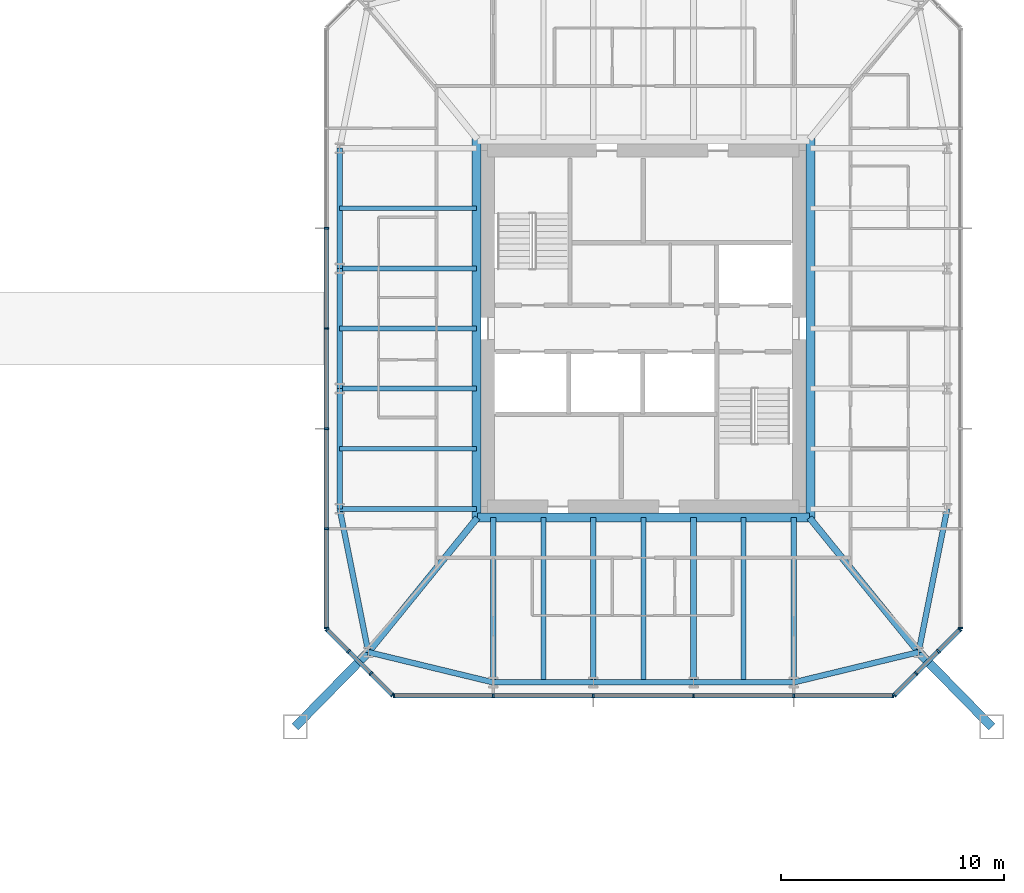
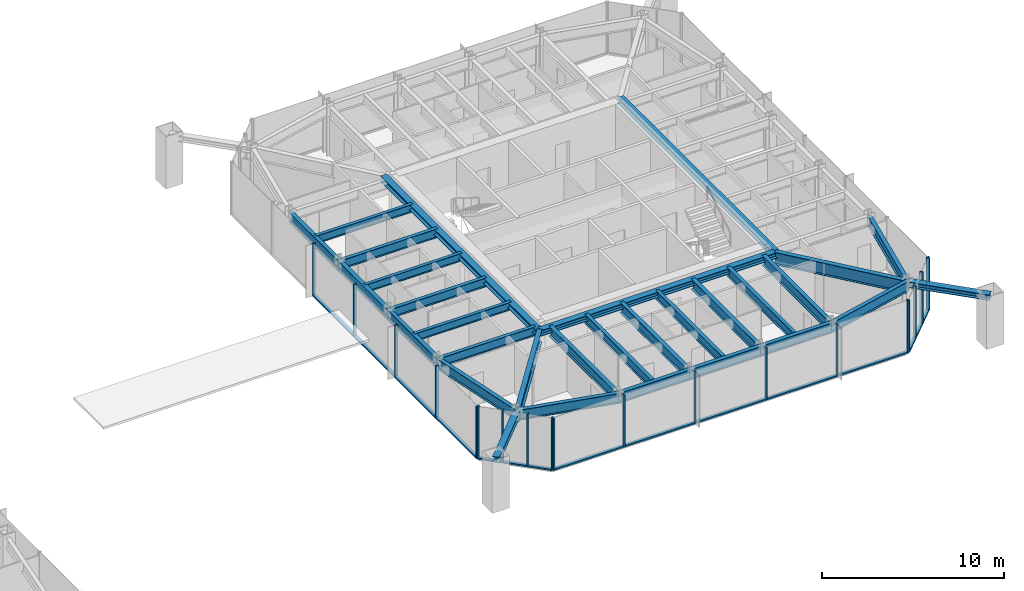
# One storey, part 8 of 25: 37 members, 28 beams, 5 elements without a shape of their own.
"""IFC4 building model written with IfcOpenShell, lengths in metres."""

import ifcopenshell
import ifcopenshell.guid

model = None  # the IFC model being written
_history = None  # IfcOwnerHistory: only IFC2X3 demands one
_inside = {}  # id of a spatial element -> (the spatial element, [elements in it])
_under = {}  # id of a project, library or spatial element -> (it, [spatial elements below it])
_declared = {}  # id of a project -> (the project, [libraries it declares])
_typed = {}  # id of a type object -> (the type object, [elements of that type])
_made_of = {}  # id of a material, layer set ... -> (it, [elements and type objects made of it])


def new_model(schema):
    """Start an empty IFC model of exactly this schema.

    Asked for "IFC4X3", IfcOpenShell would pick the latest addendum, in which some entities
    have other attributes; the version numbers below select the first issue.
    IFC2X3 requires an IfcOwnerHistory on every rooted entity: one is made here for all.
    """
    global model, _history
    if schema == "IFC4X3":
        model = ifcopenshell.file(schema_version=(4, 3, 0, 0))
    else:
        model = ifcopenshell.file(schema=schema)
    _inside.clear()
    _under.clear()
    _declared.clear()
    _typed.clear()
    _made_of.clear()
    _history = None
    if model.schema == "IFC2X3":
        org = make("IfcOrganization", Name="unknown")
        user = make(
            "IfcPersonAndOrganization",
            ThePerson=make("IfcPerson", FamilyName="unknown"),
            TheOrganization=org,
        )
        app = make(
            "IfcApplication",
            ApplicationDeveloper=org,
            Version="unknown",
            ApplicationFullName="unknown",
            ApplicationIdentifier="unknown",
        )
        _history = make(
            "IfcOwnerHistory",
            OwningUser=user,
            OwningApplication=app,
            ChangeAction="ADDED",
            CreationDate=0,
        )
    return model


def make(cls, **values):
    """One entity of the class cls with the attributes given. An attribute that is None is left unset."""
    return model.create_entity(
        cls, **{name: value for name, value in values.items() if value is not None}
    )


def rooted(cls, **values):
    """An entity with a GlobalId (a new one), such as an element, a storey or a relation."""
    return make(cls, GlobalId=ifcopenshell.guid.new(), OwnerHistory=_history, **values)


def si_unit(unit_type, name, prefix=None):
    """IfcSIUnit, for example si_unit("LENGTHUNIT", "METRE", prefix="MILLI")."""
    return make("IfcSIUnit", UnitType=unit_type, Prefix=prefix, Name=name)


def assignment(units):
    """IfcUnitAssignment: the units of a project."""
    return None if units is None else make("IfcUnitAssignment", Units=units)


def point(xyz):
    """IfcCartesianPoint."""
    return None if xyz is None else make("IfcCartesianPoint", Coordinates=xyz)


def direction(xyz):
    """IfcDirection."""
    return None if xyz is None else make("IfcDirection", DirectionRatios=xyz)


def frame(location, z_axis=None, x_axis=None):
    """IfcAxis2Placement3D, a coordinate frame: its origin and axes. An axis left out is left unset."""
    return make(
        "IfcAxis2Placement3D",
        Location=point(location),
        Axis=direction(z_axis),
        RefDirection=direction(x_axis),
    )


def frame_2d(location, x_axis=None):
    """IfcAxis2Placement2D, a coordinate frame in the plane: its origin and x axis."""
    return make(
        "IfcAxis2Placement2D", Location=point(location), RefDirection=direction(x_axis)
    )


def origin():
    """The frame at (0, 0, 0) with its axes left unset."""
    return frame((0.0, 0.0, 0.0))


def origin_2d():
    """The frame at (0, 0) in the plane with its x axis left unset."""
    return frame_2d((0.0, 0.0))


def place(relative_to, where):
    """IfcLocalPlacement: puts the frame where relative to a parent placement (None: the world)."""
    return make(
        "IfcLocalPlacement", PlacementRelTo=relative_to, RelativePlacement=where
    )


def context(
    kind, dimensions, precision=None, world=None, true_north=None, identifier=None
):
    """IfcGeometricRepresentationContext, for example the 3D "Model" context."""
    return make(
        "IfcGeometricRepresentationContext",
        ContextIdentifier=identifier,
        ContextType=kind,
        CoordinateSpaceDimension=dimensions,
        Precision=precision,
        WorldCoordinateSystem=world,
        TrueNorth=true_north,
    )


def subcontext(parent, identifier, kind, view, scale=None):
    """IfcGeometricRepresentationSubContext, for example "Body" below "Model"."""
    return make(
        "IfcGeometricRepresentationSubContext",
        ContextIdentifier=identifier,
        ContextType=kind,
        ParentContext=parent,
        TargetScale=scale,
        TargetView=view,
    )


def project(units=None, contexts=None):
    """IfcProject with its units and contexts."""
    return rooted(
        "IfcProject",
        Name="project",
        RepresentationContexts=contexts,
        UnitsInContext=assignment(units),
    )


def spatial(cls, under=None, at=None, **own):
    """A site, building, storey or space (cls), placed at a placement, below another one or the project."""
    s = rooted(cls, ObjectPlacement=at, **own)
    if under is not None:
        _under.setdefault(under.id(), (under, []))[1].append(s)
    return s


def profile(cls, at=None, kind="AREA", **sizes):
    """A parametric profile (cls). Its sizes go by their IFC names, for example OverallWidth=200.0."""
    return make(cls, ProfileType=kind, Position=at, **sizes)


def rectangle(**sizes):
    """IfcRectangleProfileDef."""
    return profile("IfcRectangleProfileDef", **sizes)


def i_section(**sizes):
    """IfcIShapeProfileDef."""
    return profile("IfcIShapeProfileDef", **sizes)


def extrude(swept, where, along, depth):
    """IfcExtrudedAreaSolid: the profile swept, set in the frame where, extruded along a direction by depth."""
    return make(
        "IfcExtrudedAreaSolid",
        SweptArea=swept,
        Position=where,
        ExtrudedDirection=direction(along),
        Depth=depth,
    )


def shape(context_of_items, identifier, shape_type, items):
    """IfcShapeRepresentation: the items that make up one representation, for example the "Body"."""
    return make(
        "IfcShapeRepresentation",
        ContextOfItems=context_of_items,
        RepresentationIdentifier=identifier,
        RepresentationType=shape_type,
        Items=items,
    )


def material(Name=None, Category=None):
    """IfcMaterial."""
    return make("IfcMaterial", Name=Name, Category=Category)


def material_profile(
    of_material, cross_section, Name=None, Category=None, Priority=None
):
    """IfcMaterialProfile: a cross section and its material."""
    return make(
        "IfcMaterialProfile",
        Name=Name,
        Material=of_material,
        Profile=cross_section,
        Priority=Priority,
        Category=Category,
    )


def profile_set(profiles, Name=None, composite=None):
    """IfcMaterialProfileSet."""
    return make(
        "IfcMaterialProfileSet",
        Name=Name,
        MaterialProfiles=profiles,
        CompositeProfile=composite,
    )


def made_of(thing, what):
    """Note that an element or type object is made of a material, layer set ...; save() writes the relation."""
    if what is not None:
        _made_of.setdefault(what.id(), (what, []))[1].append(thing)
    return thing


def type_object(cls, material=None, **own):
    """A type object (cls), such as IfcWallType, which elements share."""
    return made_of(rooted(cls, **own), material)


def element(
    cls,
    number,
    at=None,
    inside=None,
    cuts=None,
    type_object=None,
    material=None,
    context=None,
    identifier="Body",
    shape_type=None,
    held_by="IfcProductDefinitionShape",
    body=None,
    shapes=None,
    **own,
):
    """One element of the class cls, such as IfcWall. Its Tag is "e" and its number.

    at: its placement. inside: the storey or other place that contains it. cuts: it is an
    opening in that element (IfcRelVoidsElement). A single representation is given by context,
    identifier, shape_type and body (its items); several are given by shapes. held_by: the class
    of the entity that holds the representations. save() writes the other relations.
    """
    e = rooted(cls, Tag="e%d" % number, ObjectPlacement=at, **own)
    if body is not None:
        shapes = [shape(context, identifier, shape_type, body)]
    if shapes is not None:
        e.Representation = make(held_by, Representations=shapes)
    if inside is not None:
        _inside.setdefault(inside.id(), (inside, []))[1].append(e)
    if cuts is not None:
        rooted(
            "IfcRelVoidsElement", RelatingBuildingElement=cuts, RelatedOpeningElement=e
        )
    if type_object is not None:
        _typed.setdefault(type_object.id(), (type_object, []))[1].append(e)
    return made_of(e, material)


def aggregate(whole, parts):
    """IfcRelAggregates: a whole, such as a stair, and the parts it consists of."""
    return rooted("IfcRelAggregates", RelatingObject=whole, RelatedObjects=parts)


def save(model, path):
    """Write the relations noted so far, then the file.

    IfcRelAggregates (storeys below a building ...), IfcRelContainedInSpatialStructure (elements
    in a storey), IfcRelDefinesByType, IfcRelAssociatesMaterial and IfcRelDeclares: one each for
    every whole, place, type object, material and project.
    """
    for whole, parts in _under.values():
        aggregate(whole, parts)
    for where, things in _inside.values():
        rooted(
            "IfcRelContainedInSpatialStructure",
            RelatedElements=things,
            RelatingStructure=where,
        )
    for kind, things in _typed.values():
        rooted("IfcRelDefinesByType", RelatedObjects=things, RelatingType=kind)
    for what, things in _made_of.values():
        rooted("IfcRelAssociatesMaterial", RelatedObjects=things, RelatingMaterial=what)
    for by, libraries in _declared.values():
        rooted("IfcRelDeclares", RelatingContext=by, RelatedDefinitions=libraries)
    model.write(path)


model = new_model("IFC4")

# Units and contexts
model_context = context("Model", 3, precision=1e-05, world=origin(), true_north=direction((0.0, 1.0)))
body_context = subcontext(model_context, "Body", "Model", "MODEL_VIEW")
ifc_project = project(units=[si_unit("LENGTHUNIT", "METRE"), si_unit("AREAUNIT", "SQUARE_METRE"), si_unit("VOLUMEUNIT", "CUBIC_METRE"), si_unit("PLANEANGLEUNIT", "RADIAN"), si_unit("MASSUNIT", "GRAM", prefix="KILO")], contexts=[model_context])

# Site, building, storey
site_placement = place(None, origin())
site = spatial("IfcSite", under=ifc_project, at=site_placement, CompositionType="ELEMENT")
building_placement = place(site_placement, origin())
building = spatial("IfcBuilding", under=site, at=building_placement, Name="Iwan Alto Co-Living Towers", CompositionType="ELEMENT")
storey_placement = place(building_placement, frame((0.0, 0.0, 101.5)))
storey = spatial("IfcBuildingStorey", under=building, at=storey_placement, Name="L27", CompositionType="ELEMENT", Elevation=101.5)

# Curtain wall, members
ifc_material_1 = material(Name="Bronze aluminium unitised frame", Category="aluminium")
curtain_wall_type_1 = type_object("IfcCurtainWallType", Name="CURTAIN WALL CW-C", PredefinedType="NOTDEFINED", material=ifc_material_1)
curtain_wall_1_placement = place(storey_placement, origin())
curtain_wall_1 = element("IfcCurtainWall", 1, at=curtain_wall_1_placement, inside=storey, type_object=curtain_wall_type_1, Name="T2 curtain wall S L27", PredefinedType="NOTDEFINED")
ifc_material_2 = material(Name="Aluminium 6063-T6 bronze anodised", Category="aluminium")
ifc_material_profile_1 = material_profile(ifc_material_2, rectangle(XDim=0.199951171875, YDim=0.080078125, at=origin_2d()), Name="AL 80X200")
ifc_profile_set_1 = profile_set([ifc_material_profile_1], Name="Aluminium 6063-T6 bronze anodised")
member_type_1 = type_object("IfcMemberType", Name="CW-C MULLION 80X200", PredefinedType="MULLION", material=ifc_profile_set_1)
member_1_placement = place(storey_placement, frame((51.7900390625, -16.5, 0.0), z_axis=(0.0, 0.0, 1.0), x_axis=(0.0, 1.0, 0.0)))
member_1 = element("IfcMember", 2, at=member_1_placement, type_object=member_type_1, Name="CW-C mullion 1", PredefinedType="MULLION", context=body_context, shape_type="SweptSolid", body=[
    extrude(rectangle(XDim=0.199951171875, YDim=0.080078125, at=origin_2d()), origin(), (0.0, 0.0, 1.0), 3.5),
])
member_2_placement = place(storey_placement, frame((56.25, -16.5, 0.0), z_axis=(0.0, 0.0, 1.0), x_axis=(0.0, 1.0, 0.0)))
member_2 = element("IfcMember", 3, at=member_2_placement, type_object=member_type_1, Name="CW-C mullion 2", PredefinedType="MULLION", context=body_context, shape_type="SweptSolid", body=[
    extrude(rectangle(XDim=0.199951171875, YDim=0.080078125, at=origin_2d()), origin(), (0.0, 0.0, 1.0), 3.5),
])
member_3_placement = place(storey_placement, frame((60.75, -16.5, 0.0), z_axis=(0.0, 0.0, 1.0), x_axis=(0.0, 1.0, 0.0)))
member_3 = element("IfcMember", 4, at=member_3_placement, type_object=member_type_1, Name="CW-C mullion 3", PredefinedType="MULLION", context=body_context, shape_type="SweptSolid", body=[
    extrude(rectangle(XDim=0.199951171875, YDim=0.080078125, at=origin_2d()), origin(), (0.0, 0.0, 1.0), 3.5),
])
member_4_placement = place(storey_placement, frame((65.25, -16.5, 0.0), z_axis=(0.0, 0.0, 1.0), x_axis=(0.0, 1.0, 0.0)))
member_4 = element("IfcMember", 5, at=member_4_placement, type_object=member_type_1, Name="CW-C mullion 4", PredefinedType="MULLION", context=body_context, shape_type="SweptSolid", body=[
    extrude(rectangle(XDim=0.199951171875, YDim=0.080078125, at=origin_2d()), origin(), (0.0, 0.0, 1.0), 3.5),
])
member_5_placement = place(storey_placement, frame((69.75, -16.5, 0.0), z_axis=(0.0, 0.0, 1.0), x_axis=(0.0, 1.0, 0.0)))
member_5 = element("IfcMember", 6, at=member_5_placement, type_object=member_type_1, Name="CW-C mullion 5", PredefinedType="MULLION", context=body_context, shape_type="SweptSolid", body=[
    extrude(rectangle(XDim=0.199951171875, YDim=0.080078125, at=origin_2d()), origin(), (0.0, 0.0, 1.0), 3.5),
])
member_6_placement = place(storey_placement, frame((74.2099609375, -16.5, 0.0), z_axis=(0.0, 0.0, 1.0), x_axis=(0.0, 1.0, 0.0)))
member_6 = element("IfcMember", 7, at=member_6_placement, type_object=member_type_1, Name="CW-C mullion 6", PredefinedType="MULLION", context=body_context, shape_type="SweptSolid", body=[
    extrude(rectangle(XDim=0.199951171875, YDim=0.080078125, at=origin_2d()), origin(), (0.0, 0.0, 1.0), 3.5),
])

# Curtain wall, member
curtain_wall_2_placement = place(storey_placement, origin())
curtain_wall_2 = element("IfcCurtainWall", 8, at=curtain_wall_2_placement, inside=storey, type_object=curtain_wall_type_1, Name="T2 curtain wall E L27", PredefinedType="NOTDEFINED")
member_7_placement = place(storey_placement, frame((77.25, -13.4599609375, 0.0), z_axis=(0.0, 0.0, 1.0), x_axis=(-1.0, 0.0, 0.0)))
member_7 = element("IfcMember", 9, at=member_7_placement, type_object=member_type_1, Name="CW-C mullion 1", PredefinedType="MULLION", context=body_context, shape_type="SweptSolid", body=[
    extrude(rectangle(XDim=0.199951171875, YDim=0.080078125, at=origin_2d()), origin(), (0.0, 0.0, 1.0), 3.5),
])
aggregate(curtain_wall_2, [member_7])

# Curtain wall, members
curtain_wall_3_placement = place(storey_placement, origin())
curtain_wall_3 = element("IfcCurtainWall", 10, at=curtain_wall_3_placement, inside=storey, type_object=curtain_wall_type_1, Name="T2 curtain wall W L27", PredefinedType="NOTDEFINED")
member_8_placement = place(storey_placement, frame((48.75, 4.5, 0.0), z_axis=(0.0, 0.0, 1.0), x_axis=(1.0, 0.0, 0.0)))
member_8 = element("IfcMember", 11, at=member_8_placement, type_object=member_type_1, Name="CW-C mullion 3", PredefinedType="MULLION", context=body_context, shape_type="SweptSolid", body=[
    extrude(rectangle(XDim=0.199951171875, YDim=0.080078125, at=origin_2d()), origin(), (0.0, 0.0, 1.0), 3.5),
])
member_9_placement = place(storey_placement, frame((48.75, 0.0, 0.0), z_axis=(0.0, 0.0, 1.0), x_axis=(1.0, 0.0, 0.0)))
member_9 = element("IfcMember", 12, at=member_9_placement, type_object=member_type_1, Name="CW-C mullion 4", PredefinedType="MULLION", context=body_context, shape_type="SweptSolid", body=[
    extrude(rectangle(XDim=0.199951171875, YDim=0.080078125, at=origin_2d()), origin(), (0.0, 0.0, 1.0), 3.5),
])
member_10_placement = place(storey_placement, frame((48.75, -4.5, 0.0), z_axis=(0.0, 0.0, 1.0), x_axis=(1.0, 0.0, 0.0)))
member_10 = element("IfcMember", 13, at=member_10_placement, type_object=member_type_1, Name="CW-C mullion 5", PredefinedType="MULLION", context=body_context, shape_type="SweptSolid", body=[
    extrude(rectangle(XDim=0.199951171875, YDim=0.080078125, at=origin_2d()), origin(), (0.0, 0.0, 1.0), 3.5),
])
member_11_placement = place(storey_placement, frame((48.75, -9.0, 0.0), z_axis=(0.0, 0.0, 1.0), x_axis=(1.0, 0.0, 0.0)))
member_11 = element("IfcMember", 14, at=member_11_placement, type_object=member_type_1, Name="CW-C mullion 6", PredefinedType="MULLION", context=body_context, shape_type="SweptSolid", body=[
    extrude(rectangle(XDim=0.199951171875, YDim=0.080078125, at=origin_2d()), origin(), (0.0, 0.0, 1.0), 3.5),
])
member_12_placement = place(storey_placement, frame((48.75, -13.4599609375, 0.0), z_axis=(0.0, 0.0, 1.0), x_axis=(1.0, 0.0, 0.0)))
member_12 = element("IfcMember", 15, at=member_12_placement, type_object=member_type_1, Name="CW-C mullion 7", PredefinedType="MULLION", context=body_context, shape_type="SweptSolid", body=[
    extrude(rectangle(XDim=0.199951171875, YDim=0.080078125, at=origin_2d()), origin(), (0.0, 0.0, 1.0), 3.5),
])

# Member
ifc_material_3 = material(Name="Aluminium 6063-T6 bronze anodised", Category="aluminium")
ifc_material_profile_2 = material_profile(ifc_material_3, rectangle(XDim=0.199951171875, YDim=0.10009765625, at=origin_2d()), Name="AL 200X100")
ifc_profile_set_2 = profile_set([ifc_material_profile_2], Name="Aluminium 6063-T6 bronze anodised")
member_type_2 = type_object("IfcMemberType", Name="CW-C TRANSOM 200X100", PredefinedType="USERDEFINED", material=ifc_profile_set_2)
member_13_placement = place(storey_placement, frame((51.830078125, -16.5, 0.050048828125), z_axis=(1.0, 0.0, 0.0), x_axis=(0.0, 1.0, 0.0)))
member_13 = element("IfcMember", 16, at=member_13_placement, type_object=member_type_2, Name="CW-C transom 1.1", ObjectType="TRANSOM", PredefinedType="USERDEFINED", context=body_context, shape_type="SweptSolid", body=[
    extrude(rectangle(XDim=0.199951171875, YDim=0.10009765625, at=origin_2d()), origin(), (0.0, 0.0, 1.0), 4.3798828125),
])

member_14_placement = place(storey_placement, frame((56.2900390625, -16.5, 0.050048828125), z_axis=(1.0, 0.0, 0.0), x_axis=(0.0, 1.0, 0.0)))
member_14 = element("IfcMember", 17, at=member_14_placement, type_object=member_type_2, Name="CW-C transom 2.1", ObjectType="TRANSOM", PredefinedType="USERDEFINED", context=body_context, shape_type="SweptSolid", body=[
    extrude(rectangle(XDim=0.199951171875, YDim=0.10009765625, at=origin_2d()), origin(), (0.0, 0.0, 1.0), 4.419921875),
])

member_15_placement = place(storey_placement, frame((60.7900390625, -16.5, 0.050048828125), z_axis=(1.0, 0.0, 0.0), x_axis=(0.0, 1.0, 0.0)))
member_15 = element("IfcMember", 18, at=member_15_placement, type_object=member_type_2, Name="CW-C transom 3.1", ObjectType="TRANSOM", PredefinedType="USERDEFINED", context=body_context, shape_type="SweptSolid", body=[
    extrude(rectangle(XDim=0.199951171875, YDim=0.10009765625, at=origin_2d()), origin(), (0.0, 0.0, 1.0), 4.419921875),
])

member_16_placement = place(storey_placement, frame((65.2900390625, -16.5, 0.050048828125), z_axis=(1.0, 0.0, 0.0), x_axis=(0.0, 1.0, 0.0)))
member_16 = element("IfcMember", 19, at=member_16_placement, type_object=member_type_2, Name="CW-C transom 4.1", ObjectType="TRANSOM", PredefinedType="USERDEFINED", context=body_context, shape_type="SweptSolid", body=[
    extrude(rectangle(XDim=0.199951171875, YDim=0.10009765625, at=origin_2d()), origin(), (0.0, 0.0, 1.0), 4.419921875),
])

member_17_placement = place(storey_placement, frame((69.7900390625, -16.5, 0.050048828125), z_axis=(1.0, 0.0, 0.0), x_axis=(0.0, 1.0, 0.0)))
member_17 = element("IfcMember", 20, at=member_17_placement, type_object=member_type_2, Name="CW-C transom 5.1", ObjectType="TRANSOM", PredefinedType="USERDEFINED", context=body_context, shape_type="SweptSolid", body=[
    extrude(rectangle(XDim=0.199951171875, YDim=0.10009765625, at=origin_2d()), origin(), (0.0, 0.0, 1.0), 4.3798828125),
])

aggregate(curtain_wall_1, [member_1, member_2, member_3, member_4, member_5, member_6, member_13, member_14, member_15, member_16, member_17])

member_18_placement = place(storey_placement, frame((48.75, 4.4599609375, 0.050048828125), z_axis=(0.0, -1.0, 0.0), x_axis=(1.0, 0.0, 0.0)))
member_18 = element("IfcMember", 21, at=member_18_placement, type_object=member_type_2, Name="CW-C transom 3.1", ObjectType="TRANSOM", PredefinedType="USERDEFINED", context=body_context, shape_type="SweptSolid", body=[
    extrude(rectangle(XDim=0.199951171875, YDim=0.10009765625, at=origin_2d()), origin(), (0.0, 0.0, 1.0), 4.419921875),
])

member_19_placement = place(storey_placement, frame((48.75, -0.0400390625, 0.050048828125), z_axis=(0.0, -1.0, 0.0), x_axis=(1.0, 0.0, 0.0)))
member_19 = element("IfcMember", 22, at=member_19_placement, type_object=member_type_2, Name="CW-C transom 4.1", ObjectType="TRANSOM", PredefinedType="USERDEFINED", context=body_context, shape_type="SweptSolid", body=[
    extrude(rectangle(XDim=0.199951171875, YDim=0.10009765625, at=origin_2d()), origin(), (0.0, 0.0, 1.0), 4.419921875),
])

member_20_placement = place(storey_placement, frame((48.75, -4.5400390625, 0.050048828125), z_axis=(0.0, -1.0, 0.0), x_axis=(1.0, 0.0, 0.0)))
member_20 = element("IfcMember", 23, at=member_20_placement, type_object=member_type_2, Name="CW-C transom 5.1", ObjectType="TRANSOM", PredefinedType="USERDEFINED", context=body_context, shape_type="SweptSolid", body=[
    extrude(rectangle(XDim=0.199951171875, YDim=0.10009765625, at=origin_2d()), origin(), (0.0, 0.0, 1.0), 4.419921875),
])

member_21_placement = place(storey_placement, frame((48.75, -9.0400390625, 0.050048828125), z_axis=(0.0, -1.0, 0.0), x_axis=(1.0, 0.0, 0.0)))
member_21 = element("IfcMember", 24, at=member_21_placement, type_object=member_type_2, Name="CW-C transom 6.1", ObjectType="TRANSOM", PredefinedType="USERDEFINED", context=body_context, shape_type="SweptSolid", body=[
    extrude(rectangle(XDim=0.199951171875, YDim=0.10009765625, at=origin_2d()), origin(), (0.0, 0.0, 1.0), 4.3798828125),
])

aggregate(curtain_wall_3, [member_8, member_9, member_10, member_11, member_12, member_18, member_19, member_20, member_21])

# Curtain wall, members
ifc_material_4 = material(Name="Bronze aluminium unitised frame", Category="aluminium")
curtain_wall_type_2 = type_object("IfcCurtainWallType", Name="CURTAIN WALL CW-D", PredefinedType="NOTDEFINED", material=ifc_material_4)
curtain_wall_4_placement = place(storey_placement, origin())
curtain_wall_4 = element("IfcCurtainWall", 25, at=curtain_wall_4_placement, inside=storey, type_object=curtain_wall_type_2, Name="T2 chamfer curtain wall SE L27", PredefinedType="NOTDEFINED")
ifc_material_5 = material(Name="Aluminium 6063-T6 bronze anodised", Category="aluminium")
ifc_material_profile_3 = material_profile(ifc_material_5, rectangle(XDim=0.199951171875, YDim=0.080078125, at=origin_2d()), Name="AL 80X200")
ifc_profile_set_3 = profile_set([ifc_material_profile_3], Name="Aluminium 6063-T6 bronze anodised")
member_type_3 = type_object("IfcMemberType", Name="CW-D MULLION 80X200", PredefinedType="MULLION", material=ifc_profile_set_3)
member_22_placement = place(storey_placement, frame((74.2783203125, -16.4716796875, 0.0), z_axis=(0.0, 0.0, 1.0), x_axis=(-0.707106781187, 0.707106781187, 0.0)))
member_22 = element("IfcMember", 26, at=member_22_placement, type_object=member_type_3, Name="CW-D mullion 1", PredefinedType="MULLION", context=body_context, shape_type="SweptSolid", body=[
    extrude(rectangle(XDim=0.199951171875, YDim=0.080078125, at=origin_2d()), origin(), (0.0, 0.0, 1.0), 3.5),
])
member_23_placement = place(storey_placement, frame((75.25, -15.5, 0.0), z_axis=(0.0, 0.0, 1.0), x_axis=(-0.707106781187, 0.707106781187, 0.0)))
member_23 = element("IfcMember", 27, at=member_23_placement, type_object=member_type_3, Name="CW-D mullion 2", PredefinedType="MULLION", context=body_context, shape_type="SweptSolid", body=[
    extrude(rectangle(XDim=0.199951171875, YDim=0.080078125, at=origin_2d()), origin(), (0.0, 0.0, 1.0), 3.5),
])
member_24_placement = place(storey_placement, frame((76.25, -14.5, 0.0), z_axis=(0.0, 0.0, 1.0), x_axis=(-0.707106781187, 0.707106781187, 0.0)))
member_24 = element("IfcMember", 28, at=member_24_placement, type_object=member_type_3, Name="CW-D mullion 3", PredefinedType="MULLION", context=body_context, shape_type="SweptSolid", body=[
    extrude(rectangle(XDim=0.199951171875, YDim=0.080078125, at=origin_2d()), origin(), (0.0, 0.0, 1.0), 3.5),
])
member_25_placement = place(storey_placement, frame((77.2216796875, -13.5283203125, 0.0), z_axis=(0.0, 0.0, 1.0), x_axis=(-0.707106781187, 0.707106781187, 0.0)))
member_25 = element("IfcMember", 29, at=member_25_placement, type_object=member_type_3, Name="CW-D mullion 4", PredefinedType="MULLION", context=body_context, shape_type="SweptSolid", body=[
    extrude(rectangle(XDim=0.199951171875, YDim=0.080078125, at=origin_2d()), origin(), (0.0, 0.0, 1.0), 3.5),
])

curtain_wall_5_placement = place(storey_placement, origin())
curtain_wall_5 = element("IfcCurtainWall", 30, at=curtain_wall_5_placement, inside=storey, type_object=curtain_wall_type_2, Name="T2 chamfer curtain wall SW L27", PredefinedType="NOTDEFINED")
member_26_placement = place(storey_placement, frame((48.7783203125, -13.5283203125, 0.0), z_axis=(0.0, 0.0, 1.0), x_axis=(0.707106781187, 0.707106781187, 0.0)))
member_26 = element("IfcMember", 31, at=member_26_placement, type_object=member_type_3, Name="CW-D mullion 1", PredefinedType="MULLION", context=body_context, shape_type="SweptSolid", body=[
    extrude(rectangle(XDim=0.199951171875, YDim=0.080078125, at=origin_2d()), origin(), (0.0, 0.0, 1.0), 3.5),
])
member_27_placement = place(storey_placement, frame((49.75, -14.5, 0.0), z_axis=(0.0, 0.0, 1.0), x_axis=(0.707106781187, 0.707106781187, 0.0)))
member_27 = element("IfcMember", 32, at=member_27_placement, type_object=member_type_3, Name="CW-D mullion 2", PredefinedType="MULLION", context=body_context, shape_type="SweptSolid", body=[
    extrude(rectangle(XDim=0.199951171875, YDim=0.080078125, at=origin_2d()), origin(), (0.0, 0.0, 1.0), 3.5),
])
member_28_placement = place(storey_placement, frame((50.75, -15.5, 0.0), z_axis=(0.0, 0.0, 1.0), x_axis=(0.707106781187, 0.707106781187, 0.0)))
member_28 = element("IfcMember", 33, at=member_28_placement, type_object=member_type_3, Name="CW-D mullion 3", PredefinedType="MULLION", context=body_context, shape_type="SweptSolid", body=[
    extrude(rectangle(XDim=0.199951171875, YDim=0.080078125, at=origin_2d()), origin(), (0.0, 0.0, 1.0), 3.5),
])
member_29_placement = place(storey_placement, frame((51.7216796875, -16.4716796875, 0.0), z_axis=(0.0, 0.0, 1.0), x_axis=(0.707106781187, 0.707106781187, 0.0)))
member_29 = element("IfcMember", 34, at=member_29_placement, type_object=member_type_3, Name="CW-D mullion 4", PredefinedType="MULLION", context=body_context, shape_type="SweptSolid", body=[
    extrude(rectangle(XDim=0.199951171875, YDim=0.080078125, at=origin_2d()), origin(), (0.0, 0.0, 1.0), 3.5),
])

# Member
ifc_material_6 = material(Name="Aluminium 6063-T6 bronze anodised", Category="aluminium")
ifc_material_profile_4 = material_profile(ifc_material_6, rectangle(XDim=0.199951171875, YDim=0.10009765625, at=origin_2d()), Name="AL 200X100")
ifc_profile_set_4 = profile_set([ifc_material_profile_4], Name="Aluminium 6063-T6 bronze anodised")
member_type_4 = type_object("IfcMemberType", Name="CW-D TRANSOM 200X100", PredefinedType="USERDEFINED", material=ifc_profile_set_4)
member_30_placement = place(storey_placement, frame((74.306640625, -16.443359375, 0.050048828125), z_axis=(0.707106781187, 0.707106781187, 0.0), x_axis=(-0.707106781187, 0.707106781187, 0.0)))
member_30 = element("IfcMember", 35, at=member_30_placement, type_object=member_type_4, Name="CW-D transom 1.1", ObjectType="TRANSOM", PredefinedType="USERDEFINED", context=body_context, shape_type="SweptSolid", body=[
    extrude(rectangle(XDim=0.199951171875, YDim=0.10009765625, at=origin_2d()), origin(), (0.0, 0.0, 1.0), 1.2939453125),
])

member_31_placement = place(storey_placement, frame((75.2783203125, -15.4716796875, 0.050048828125), z_axis=(0.707106781187, 0.707106781187, 0.0), x_axis=(-0.707106781187, 0.707106781187, 0.0)))
member_31 = element("IfcMember", 36, at=member_31_placement, type_object=member_type_4, Name="CW-D transom 2.1", ObjectType="TRANSOM", PredefinedType="USERDEFINED", context=body_context, shape_type="SweptSolid", body=[
    extrude(rectangle(XDim=0.199951171875, YDim=0.10009765625, at=origin_2d()), origin(), (0.0, 0.0, 1.0), 1.334228515625),
])

member_32_placement = place(storey_placement, frame((76.2783203125, -14.4716796875, 0.050048828125), z_axis=(0.707106781187, 0.707106781187, 0.0), x_axis=(-0.707106781187, 0.707106781187, 0.0)))
member_32 = element("IfcMember", 37, at=member_32_placement, type_object=member_type_4, Name="CW-D transom 3.1", ObjectType="TRANSOM", PredefinedType="USERDEFINED", context=body_context, shape_type="SweptSolid", body=[
    extrude(rectangle(XDim=0.199951171875, YDim=0.10009765625, at=origin_2d()), origin(), (0.0, 0.0, 1.0), 1.2939453125),
])

aggregate(curtain_wall_4, [member_22, member_23, member_24, member_25, member_30, member_31, member_32])

member_33_placement = place(storey_placement, frame((48.806640625, -13.556640625, 0.050048828125), z_axis=(0.707106781187, -0.707106781187, 0.0), x_axis=(0.707106781187, 0.707106781187, 0.0)))
member_33 = element("IfcMember", 38, at=member_33_placement, type_object=member_type_4, Name="CW-D transom 1.1", ObjectType="TRANSOM", PredefinedType="USERDEFINED", context=body_context, shape_type="SweptSolid", body=[
    extrude(rectangle(XDim=0.199951171875, YDim=0.10009765625, at=origin_2d()), origin(), (0.0, 0.0, 1.0), 1.2939453125),
])

member_34_placement = place(storey_placement, frame((49.7783203125, -14.5283203125, 0.050048828125), z_axis=(0.707106781187, -0.707106781187, 0.0), x_axis=(0.707106781187, 0.707106781187, 0.0)))
member_34 = element("IfcMember", 39, at=member_34_placement, type_object=member_type_4, Name="CW-D transom 2.1", ObjectType="TRANSOM", PredefinedType="USERDEFINED", context=body_context, shape_type="SweptSolid", body=[
    extrude(rectangle(XDim=0.199951171875, YDim=0.10009765625, at=origin_2d()), origin(), (0.0, 0.0, 1.0), 1.334228515625),
])

member_35_placement = place(storey_placement, frame((50.7783203125, -15.5283203125, 0.050048828125), z_axis=(0.707106781187, -0.707106781187, 0.0), x_axis=(0.707106781187, 0.707106781187, 0.0)))
member_35 = element("IfcMember", 40, at=member_35_placement, type_object=member_type_4, Name="CW-D transom 3.1", ObjectType="TRANSOM", PredefinedType="USERDEFINED", context=body_context, shape_type="SweptSolid", body=[
    extrude(rectangle(XDim=0.199951171875, YDim=0.10009765625, at=origin_2d()), origin(), (0.0, 0.0, 1.0), 1.2939453125),
])

aggregate(curtain_wall_5, [member_26, member_27, member_28, member_29, member_33, member_34, member_35])

# Beams
ifc_material_7 = material(Name="Steel ASTM A992 Gr 50", Category="steel")
ifc_material_profile_5 = material_profile(ifc_material_7, i_section(OverallWidth=0.398681640625, OverallDepth=0.385986328125, WebThickness=0.02099609375, FlangeThickness=0.033203125, at=origin_2d()), Name="W14X176")
ifc_profile_set_5 = profile_set([ifc_material_profile_5], Name="Steel ASTM A992 Gr 50")
beam_type_1 = type_object("IfcBeamType", Name="T2 CORE LEDGER BEAM W14X176", PredefinedType="BEAM", material=ifc_profile_set_5)
beam_1_placement = place(storey_placement, frame((55.538330078125, -8.49951171875, 3.076904296875), z_axis=(1.0, 0.0, 0.0), x_axis=(0.0, 1.0, 0.0)))
element("IfcBeam", 41, at=beam_1_placement, inside=storey, type_object=beam_type_1, Name="T2 core ledger beam S L28", PredefinedType="BEAM", context=body_context, shape_type="SweptSolid", body=[
    extrude(i_section(OverallWidth=0.398681640625, OverallDepth=0.385986328125, WebThickness=0.02099609375, FlangeThickness=0.033203125, at=origin_2d()), origin(), (0.0, 0.0, 1.0), 14.92333984375),
])
for number, where, z_axis, x_axis, name in (
    (42, (70.49951171875, -8.5458984375, 3.076904296875), (0.0, 1.0, 0.0), (-1.0, 0.0, 0.0), "T2 core ledger beam E L28"),
    (43, (55.50048828125, 8.5458984375, 3.076904296875), (0.0, -1.0, 0.0), (1.0, 0.0, 0.0), "T2 core ledger beam W L28"),
):
    element("IfcBeam", number, at=place(storey_placement, frame(where, z_axis=z_axis, x_axis=x_axis)), inside=storey, type_object=beam_type_1, Name=name, PredefinedType="BEAM", context=body_context, shape_type="SweptSolid", body=[
        extrude(i_section(OverallWidth=0.398681640625, OverallDepth=0.385986328125, WebThickness=0.02099609375, FlangeThickness=0.033203125, at=origin_2d()), origin(), (0.0, 0.0, 1.0), 17.091796875),
    ])
ifc_material_8 = material(Name="Steel ASTM A992 Gr 50", Category="steel")
ifc_material_profile_6 = material_profile(ifc_material_8, i_section(OverallWidth=0.2919921875, OverallDepth=0.8408203125, WebThickness=0.0146484375, FlangeThickness=0.021728515625, at=origin_2d()), Name="W33X130")
ifc_profile_set_6 = profile_set([ifc_material_profile_6], Name="Steel ASTM A992 Gr 50")
beam_type_2 = type_object("IfcBeamType", Name="T2 CORNER GIRDER W33X130", PredefinedType="BEAM", material=ifc_profile_set_6)
for number, where, z_axis, x_axis, name in (
    (44, (50.638671875, -14.542724609375, 2.849609375), (0.629783024592, 0.776771100091, 0.0), (-0.776771100091, 0.629783024592, 0.0), "T2 corner girder CSW L28"),
    (45, (75.361328125, -14.542724609375, 2.849609375), (-0.629783024592, 0.776771100091, 0.0), (-0.776771100091, -0.629783024592, 0.0), "T2 corner girder CSE L28"),
):
    element("IfcBeam", number, at=place(storey_placement, frame(where, z_axis=z_axis, x_axis=x_axis)), inside=storey, type_object=beam_type_2, Name=name, PredefinedType="BEAM", context=body_context, shape_type="SweptSolid", body=[
        extrude(i_section(OverallWidth=0.2919921875, OverallDepth=0.8408203125, WebThickness=0.0146484375, FlangeThickness=0.021728515625, at=origin_2d()), origin(), (0.0, 0.0, 1.0), 7.780029296875),
    ])
ifc_material_9 = material(Name="Steel ASTM A992 Gr 50", Category="steel")
ifc_material_profile_7 = material_profile(ifc_material_9, i_section(OverallWidth=0.25390625, OverallDepth=0.683349609375, WebThickness=0.012451171875, FlangeThickness=0.018798828125, at=origin_2d()), Name="W27X94")
ifc_profile_set_7 = profile_set([ifc_material_profile_7], Name="Steel ASTM A992 Gr 50")
beam_type_3 = type_object("IfcBeamType", Name="T2 EDGE BEAM W27X94", PredefinedType="BEAM", material=ifc_profile_set_7)
beam_2_placement = place(storey_placement, frame((50.638671875, -14.542724609375, 2.928466796875), z_axis=(0.971974673138, -0.235085590323, 0.0), x_axis=(0.235085590323, 0.971974673138, 0.0)))
element("IfcBeam", 46, at=beam_2_placement, inside=storey, type_object=beam_type_3, Name="T2 edge beam CSW L28", PredefinedType="BEAM", context=body_context, shape_type="SweptSolid", body=[
    extrude(i_section(OverallWidth=0.25390625, OverallDepth=0.683349609375, WebThickness=0.012451171875, FlangeThickness=0.018798828125, at=origin_2d()), origin(), (0.0, 0.0, 1.0), 5.773193359375),
])
for number, where, z_axis, x_axis, name in (
    (47, (56.25, -15.89990234375, 2.928466796875), (1.0, 0.0, 0.0), (0.0, 1.0, 0.0), "T2 edge beam S1 L28"),
    (48, (60.75, -15.89990234375, 2.928466796875), (1.0, 0.0, 0.0), (0.0, 1.0, 0.0), "T2 edge beam S2 L28"),
    (49, (65.25, -15.89990234375, 2.928466796875), (1.0, 0.0, 0.0), (0.0, 1.0, 0.0), "T2 edge beam S3 L28"),
):
    element("IfcBeam", number, at=place(storey_placement, frame(where, z_axis=z_axis, x_axis=x_axis)), inside=storey, type_object=beam_type_3, Name=name, PredefinedType="BEAM", context=body_context, shape_type="SweptSolid", body=[
        extrude(i_section(OverallWidth=0.25390625, OverallDepth=0.683349609375, WebThickness=0.012451171875, FlangeThickness=0.018798828125, at=origin_2d()), origin(), (0.0, 0.0, 1.0), 4.5),
    ])
beam_3_placement = place(storey_placement, frame((69.75, -15.89990234375, 2.928466796875), z_axis=(0.971974673138, 0.235085590323, 0.0), x_axis=(-0.235085590323, 0.971974673138, 0.0)))
element("IfcBeam", 50, at=beam_3_placement, inside=storey, type_object=beam_type_3, Name="T2 edge beam S4 L28", PredefinedType="BEAM", context=body_context, shape_type="SweptSolid", body=[
    extrude(i_section(OverallWidth=0.25390625, OverallDepth=0.683349609375, WebThickness=0.012451171875, FlangeThickness=0.018798828125, at=origin_2d()), origin(), (0.0, 0.0, 1.0), 5.773193359375),
])
beam_4_placement = place(storey_placement, frame((75.361328125, -14.542724609375, 2.928466796875), z_axis=(0.196123281025, 0.980579246487, 0.0), x_axis=(-0.980579246487, 0.196123281025, 0.0)))
element("IfcBeam", 51, at=beam_4_placement, inside=storey, type_object=beam_type_3, Name="T2 edge beam CSE L28", PredefinedType="BEAM", context=body_context, shape_type="SweptSolid", body=[
    extrude(i_section(OverallWidth=0.25390625, OverallDepth=0.683349609375, WebThickness=0.012451171875, FlangeThickness=0.018798828125, at=origin_2d()), origin(), (0.0, 0.0, 1.0), 6.5703125),
])
beam_5_placement = place(storey_placement, frame((49.35009765625, 8.10009765625, 2.928466796875), z_axis=(0.0, -1.0, 0.0), x_axis=(1.0, 0.0, 0.0)))
element("IfcBeam", 52, at=beam_5_placement, inside=storey, type_object=beam_type_3, Name="T2 edge beam W1 L28", PredefinedType="BEAM", context=body_context, shape_type="SweptSolid", body=[
    extrude(i_section(OverallWidth=0.25390625, OverallDepth=0.683349609375, WebThickness=0.012451171875, FlangeThickness=0.018798828125, at=origin_2d()), origin(), (0.0, 0.0, 1.0), 5.400146484375),
])
beam_6_placement = place(storey_placement, frame((49.35009765625, 2.699951171875, 2.928466796875), z_axis=(0.0, -1.0, 0.0), x_axis=(1.0, 0.0, 0.0)))
element("IfcBeam", 53, at=beam_6_placement, inside=storey, type_object=beam_type_3, Name="T2 edge beam W2 L28", PredefinedType="BEAM", context=body_context, shape_type="SweptSolid", body=[
    extrude(i_section(OverallWidth=0.25390625, OverallDepth=0.683349609375, WebThickness=0.012451171875, FlangeThickness=0.018798828125, at=origin_2d()), origin(), (0.0, 0.0, 1.0), 5.39990234375),
])
beam_7_placement = place(storey_placement, frame((49.35009765625, -2.699951171875, 2.928466796875), z_axis=(0.0, -1.0, 0.0), x_axis=(1.0, 0.0, 0.0)))
element("IfcBeam", 54, at=beam_7_placement, inside=storey, type_object=beam_type_3, Name="T2 edge beam W3 L28", PredefinedType="BEAM", context=body_context, shape_type="SweptSolid", body=[
    extrude(i_section(OverallWidth=0.25390625, OverallDepth=0.683349609375, WebThickness=0.012451171875, FlangeThickness=0.018798828125, at=origin_2d()), origin(), (0.0, 0.0, 1.0), 5.400146484375),
])
beam_8_placement = place(storey_placement, frame((49.35009765625, -8.10009765625, 2.928466796875), z_axis=(0.196123281025, -0.980579246487, 0.0), x_axis=(0.980579246487, 0.196123281025, 0.0)))
element("IfcBeam", 55, at=beam_8_placement, inside=storey, type_object=beam_type_3, Name="T2 edge beam W4 L28", PredefinedType="BEAM", context=body_context, shape_type="SweptSolid", body=[
    extrude(i_section(OverallWidth=0.25390625, OverallDepth=0.683349609375, WebThickness=0.012451171875, FlangeThickness=0.018798828125, at=origin_2d()), origin(), (0.0, 0.0, 1.0), 6.5703125),
])

# Members
ifc_material_10 = material(Name="Steel ASTM A992 Gr 50", Category="steel")
ifc_material_profile_8 = material_profile(ifc_material_10, i_section(OverallWidth=0.393798828125, OverallDepth=0.3759765625, WebThickness=0.017333984375, FlangeThickness=0.027587890625, at=origin_2d()), Name="W14X145")
ifc_profile_set_8 = profile_set([ifc_material_profile_8], Name="Steel ASTM A992 Gr 50")
member_type_5 = type_object("IfcMemberType", Name="T2 MEGA COLUMN FLOOR TIE W14X145", PredefinedType="STRUT", material=ifc_profile_set_8)
for number, where, z_axis, x_axis, name in (
    (56, (47.35009765625, -17.89990234375, 3.08203125), (0.699770096147, 0.714368121166, 0.0), (-0.714368121166, 0.699770096147, 0.0), "T2 mega column floor tie SW L28"),
    (57, (78.64990234375, -17.89990234375, 3.08203125), (-0.699770096147, 0.714368121166, 0.0), (-0.714368121166, -0.699770096147, 0.0), "T2 mega column floor tie SE L28"),
):
    element("IfcMember", number, at=place(storey_placement, frame(where, z_axis=z_axis, x_axis=x_axis)), inside=storey, type_object=member_type_5, Name=name, PredefinedType="STRUT", context=body_context, shape_type="SweptSolid", body=[
        extrude(i_section(OverallWidth=0.393798828125, OverallDepth=0.3759765625, WebThickness=0.017333984375, FlangeThickness=0.027587890625, at=origin_2d()), origin(), (0.0, 0.0, 1.0), 4.699462890625),
    ])

# Beams
ifc_material_11 = material(Name="Steel ASTM A992 Gr 50", Category="steel")
ifc_material_profile_9 = material_profile(ifc_material_11, i_section(OverallWidth=0.228271484375, OverallDepth=0.607177734375, WebThickness=0.01123046875, FlangeThickness=0.017333984375, at=origin_2d()), Name="W24X76")
ifc_profile_set_9 = profile_set([ifc_material_profile_9], Name="Steel ASTM A992 Gr 50")
beam_type_4 = type_object("IfcBeamType", Name="T2 RADIAL BEAM W24X76", PredefinedType="BEAM", material=ifc_profile_set_9)
for number, where, z_axis, x_axis, name in (
    (58, (49.35009765625, 2.699951171875, 2.966552734375), (1.0, 0.0, 0.0), (0.0, 1.0, 0.0), "T2 radial beam W2 L28"),
    (59, (49.35009765625, -2.699951171875, 2.966552734375), (1.0, 0.0, 0.0), (0.0, 1.0, 0.0), "T2 radial beam W3 L28"),
    (60, (49.35009765625, -8.10009765625, 2.966552734375), (1.0, 0.0, 0.0), (0.0, 1.0, 0.0), "T2 radial beam W4 L28"),
):
    element("IfcBeam", number, at=place(storey_placement, frame(where, z_axis=z_axis, x_axis=x_axis)), inside=storey, type_object=beam_type_4, Name=name, PredefinedType="BEAM", context=body_context, shape_type="SweptSolid", body=[
        extrude(i_section(OverallWidth=0.228271484375, OverallDepth=0.607177734375, WebThickness=0.01123046875, FlangeThickness=0.017333984375, at=origin_2d()), origin(), (0.0, 0.0, 1.0), 6.150390625),
    ])
ifc_material_12 = material(Name="Steel ASTM A992 Gr 50", Category="steel")
ifc_material_profile_10 = material_profile(ifc_material_12, i_section(OverallWidth=0.25390625, OverallDepth=0.683349609375, WebThickness=0.012451171875, FlangeThickness=0.018798828125, at=origin_2d()), Name="W27X94")
ifc_profile_set_10 = profile_set([ifc_material_profile_10], Name="Steel ASTM A992 Gr 50")
beam_type_5 = type_object("IfcBeamType", Name="T2 RADIAL BEAM W27X94", PredefinedType="BEAM", material=ifc_profile_set_10)
for number, where, z_axis, x_axis, name in (
    (61, (56.25, -15.89990234375, 2.928466796875), (0.0, 1.0, 0.0), (-1.0, 0.0, 0.0), "T2 radial beam S1 L28"),
    (62, (60.75, -15.89990234375, 2.928466796875), (0.0, 1.0, 0.0), (-1.0, 0.0, 0.0), "T2 radial beam S2 L28"),
    (63, (65.25, -15.89990234375, 2.928466796875), (0.0, 1.0, 0.0), (-1.0, 0.0, 0.0), "T2 radial beam S3 L28"),
    (64, (69.75, -15.89990234375, 2.928466796875), (0.0, 1.0, 0.0), (-1.0, 0.0, 0.0), "T2 radial beam S4 L28"),
):
    element("IfcBeam", number, at=place(storey_placement, frame(where, z_axis=z_axis, x_axis=x_axis)), inside=storey, type_object=beam_type_5, Name=name, PredefinedType="BEAM", context=body_context, shape_type="SweptSolid", body=[
        extrude(i_section(OverallWidth=0.25390625, OverallDepth=0.683349609375, WebThickness=0.012451171875, FlangeThickness=0.018798828125, at=origin_2d()), origin(), (0.0, 0.0, 1.0), 7.400390625),
    ])
ifc_material_13 = material(Name="Steel ASTM A992 Gr 50", Category="steel")
ifc_material_profile_11 = material_profile(ifc_material_13, i_section(OverallWidth=0.209228515625, OverallDepth=0.533447265625, WebThickness=0.01025390625, FlangeThickness=0.015625, at=origin_2d()), Name="W21X62")
ifc_profile_set_11 = profile_set([ifc_material_profile_11], Name="Steel ASTM A992 Gr 50")
beam_type_6 = type_object("IfcBeamType", Name="T2 SECONDARY BEAM W21X62", PredefinedType="JOIST", material=ifc_profile_set_11)
for number, where, z_axis, x_axis, name in (
    (65, (49.35009765625, 5.39990234375, 3.00341796875), (1.0, 0.0, 0.0), (0.0, 1.0, 0.0), "T2 secondary beam W1 L28"),
    (66, (49.35009765625, 0.0, 3.00341796875), (1.0, 0.0, 0.0), (0.0, 1.0, 0.0), "T2 secondary beam W2 L28"),
    (67, (49.35009765625, -5.39990234375, 3.00341796875), (1.0, 0.0, 0.0), (0.0, 1.0, 0.0), "T2 secondary beam W3 L28"),
):
    element("IfcBeam", number, at=place(storey_placement, frame(where, z_axis=z_axis, x_axis=x_axis)), inside=storey, type_object=beam_type_6, Name=name, PredefinedType="JOIST", context=body_context, shape_type="SweptSolid", body=[
        extrude(i_section(OverallWidth=0.209228515625, OverallDepth=0.533447265625, WebThickness=0.01025390625, FlangeThickness=0.015625, at=origin_2d()), origin(), (0.0, 0.0, 1.0), 6.150390625),
    ])
ifc_material_14 = material(Name="Steel ASTM A992 Gr 50", Category="steel")
ifc_material_profile_12 = material_profile(ifc_material_14, i_section(OverallWidth=0.228271484375, OverallDepth=0.607177734375, WebThickness=0.01123046875, FlangeThickness=0.017333984375, at=origin_2d()), Name="W24X76")
ifc_profile_set_12 = profile_set([ifc_material_profile_12], Name="Steel ASTM A992 Gr 50")
beam_type_7 = type_object("IfcBeamType", Name="T2 SECONDARY BEAM W24X76", PredefinedType="JOIST", material=ifc_profile_set_12)
for number, where, z_axis, x_axis, name in (
    (68, (58.5, -15.89990234375, 2.966552734375), (0.0, 1.0, 0.0), (-1.0, 0.0, 0.0), "T2 secondary beam S1 L28"),
    (69, (63.0, -15.89990234375, 2.966552734375), (0.0, 1.0, 0.0), (-1.0, 0.0, 0.0), "T2 secondary beam S2 L28"),
    (70, (67.5, -15.89990234375, 2.966552734375), (0.0, 1.0, 0.0), (-1.0, 0.0, 0.0), "T2 secondary beam S3 L28"),
):
    element("IfcBeam", number, at=place(storey_placement, frame(where, z_axis=z_axis, x_axis=x_axis)), inside=storey, type_object=beam_type_7, Name=name, PredefinedType="JOIST", context=body_context, shape_type="SweptSolid", body=[
        extrude(i_section(OverallWidth=0.228271484375, OverallDepth=0.607177734375, WebThickness=0.01123046875, FlangeThickness=0.017333984375, at=origin_2d()), origin(), (0.0, 0.0, 1.0), 7.400390625),
    ])

save(model, "model.ifc")
